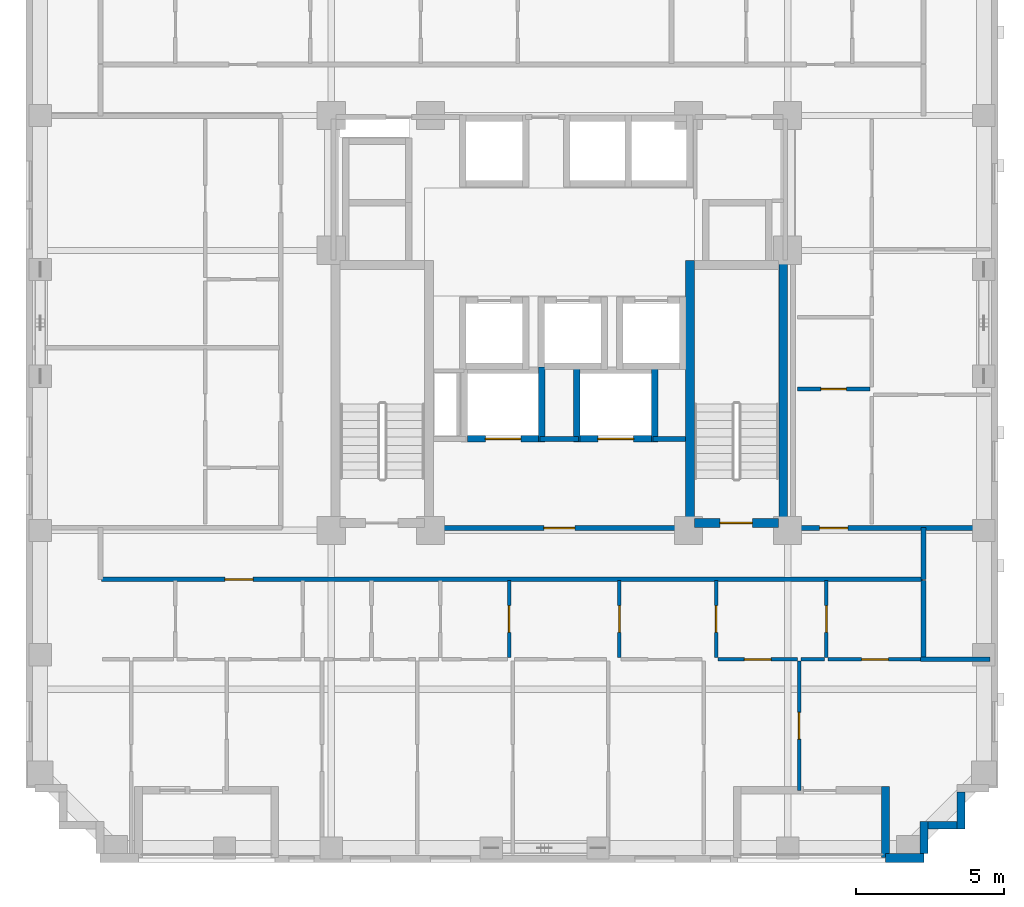
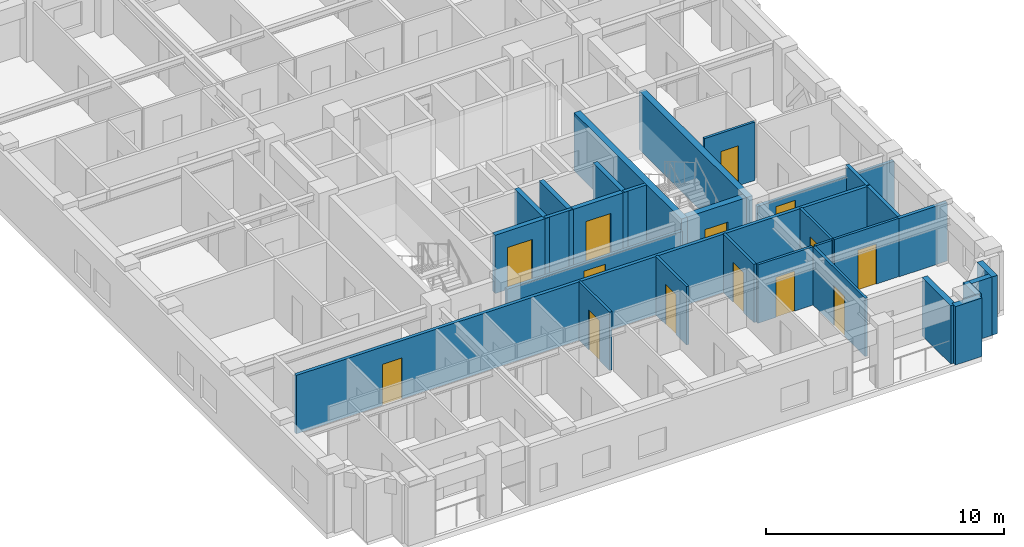
# One storey, part 4 of 12: 30 walls, 14 doors, 14 openings.
"""IFC4 building model written with IfcOpenShell, lengths in metres."""

from ifc_helpers import new_model, si_unit, derived_unit, direction, frame, frame_2d, origin, place, context, subcontext, project, spatial, rectangle, extrude, material, layer, layer_set, type_object, element, fill, save


model = new_model("IFC4")

# Units and contexts
model_context = context("Model", 3, precision=1e-05, world=origin(), true_north=direction((0.0, 1.0)))
body_context = subcontext(model_context, "Body", "Model", "MODEL_VIEW")
ifc_project = project(units=[si_unit("LENGTHUNIT", "METRE"), si_unit("AREAUNIT", "SQUARE_METRE"), si_unit("VOLUMEUNIT", "CUBIC_METRE"), si_unit("PLANEANGLEUNIT", "RADIAN"), si_unit("MASSUNIT", "GRAM", prefix="KILO"), derived_unit("THERMALTRANSMITTANCEUNIT", [(si_unit("MASSUNIT", "GRAM", prefix="KILO"), 1), (si_unit("TIMEUNIT", "SECOND"), -3), (si_unit("THERMODYNAMICTEMPERATUREUNIT", "KELVIN"), -1)])], contexts=[model_context])

# Site, building, storey
site_placement = place(None, origin())
site = spatial("IfcSite", under=ifc_project, at=site_placement, CompositionType="ELEMENT")
building_placement = place(site_placement, origin())
building = spatial("IfcBuilding", under=site, at=building_placement, Name="Korrvale Station Residences", CompositionType="ELEMENT")
storey_placement = place(building_placement, frame((0.0, 0.0, 127.64990234375)))
storey = spatial("IfcBuildingStorey", under=building, at=storey_placement, Name="L36", CompositionType="ELEMENT", Elevation=127.64990234375)

# Walls
ifc_material_1 = material(Name="Concrete C60/75", Category="concrete")
ifc_layer_1 = layer(ifc_material_1, 0.300048828125, Name="Concrete C60/75")
ifc_layer_set_1 = layer_set([ifc_layer_1], Name="Concrete C60/75")
wall_type_1 = type_object("IfcWallType", Name="WAL-CORE-300-C60", PredefinedType="SHEAR", material=ifc_layer_set_1)
for number, where, z_axis, x_axis, name in (
    (1, (29.89990234375, 15.10009765625, 0.0), (0.0, 0.0, 1.0), (0.0, 1.0, 0.0), "L36 ST-2 Core Shear Wall West"),
    (2, (33.050048828125, 15.10009765625, 0.0), (0.0, 0.0, 1.0), (0.0, 1.0, 0.0), "L36 ST-2 Core Shear Wall East"),
):
    element("IfcWall", number, at=place(storey_placement, frame(where, z_axis=z_axis, x_axis=x_axis)), inside=storey, type_object=wall_type_1, Name=name, PredefinedType="SHEAR", context=body_context, shape_type="SweptSolid", body=[
        extrude(rectangle(XDim=9.0, YDim=0.300048828125, at=frame_2d((4.5, 0.0))), origin(), (0.0, 0.0, 1.0), 2.989990234375),
    ])

# Wall, opening, door
wall_1_placement = place(storey_placement, frame((30.050048828125, 15.25, 0.0), z_axis=(0.0, 0.0, 1.0), x_axis=(1.0, 0.0, 0.0)))
wall_1 = element("IfcWall", 3, at=wall_1_placement, inside=storey, type_object=wall_type_1, Name="L36 ST-2 Core Shear Wall South", PredefinedType="SHEAR", context=body_context, shape_type="SweptSolid", body=[
    extrude(rectangle(XDim=2.849853515625, YDim=0.300048828125, at=frame_2d((1.4248046875, 0.0))), origin(), (0.0, 0.0, 1.0), 2.989990234375),
])
opening_1_placement = place(wall_1_placement, frame((0.860107421875, 0.0, 0.0)))
opening_1 = element("IfcOpeningElement", 4, at=opening_1_placement, cuts=wall_1, Name="Opening SD-1100", PredefinedType="OPENING", context=body_context, shape_type="SweptSolid", body=[
    extrude(rectangle(XDim=1.10009765625, YDim=2.050048828125, at=frame_2d((0.550048828125, 1.02490234375))), frame((0.0, 0.16015625, 0.0), z_axis=(0.0, -1.0, 0.0), x_axis=(1.0, 0.0, 0.0)), (0.0, 0.0, 1.0), 0.320068359375),
])
ifc_material_2 = material(Name="Hollow-metal fire-rated stair door with closer", Category="steel")
door_type_1 = type_object("IfcDoorType", Name="DR-STAIR-1100", OperationType="NOTDEFINED", PredefinedType="DOOR", material=ifc_material_2)
door_1_placement = place(opening_1_placement, origin())
door_1 = element("IfcDoor", 5, at=door_1_placement, inside=storey, type_object=door_type_1, Name="L36 ST-2 Exit Stair Door", OperationType="SINGLE_SWING_RIGHT", OverallHeight=2.050048828125, OverallWidth=1.10009765625, PredefinedType="DOOR", context=body_context, shape_type="SweptSolid", body=[
    extrude(rectangle(XDim=1.10009765625, YDim=2.050048828125, at=frame_2d((0.550048828125, 1.02490234375))), frame((0.0, 0.02490234375, 0.0), z_axis=(0.0, -1.0, 0.0), x_axis=(1.0, 0.0, 0.0)), (0.0, 0.0, 1.0), 0.050048828125),
])
fill(opening_1, door_1)

# Walls
ifc_material_3 = material(Name="Precast concrete C45/55", Category="concrete")
ifc_layer_2 = layer(ifc_material_3, 0.260009765625, Name="Precast concrete C45/55")
ifc_layer_set_2 = layer_set([ifc_layer_2], Name="Precast concrete C45/55")
wall_type_2 = type_object("IfcWallType", Name="WAL-EXT-LOG260", PredefinedType="SOLIDWALL", material=ifc_layer_set_2)
wall_2_placement = place(storey_placement, frame((36.5, 3.9599609375, 0.0), z_axis=(0.0, 0.0, 1.0), x_axis=(0.0, 1.0, 0.0)))
element("IfcWall", 6, at=wall_2_placement, inside=storey, type_object=wall_type_2, Name="L36 Recessed Loggia Wall BAL-L36-S2-L", PredefinedType="SOLIDWALL", context=body_context, shape_type="SweptSolid", body=[
    extrude(rectangle(XDim=2.400146484375, YDim=0.260009765625, at=frame_2d((1.2001953125, 0.0))), origin(), (0.0, 0.0, 1.0), 2.989990234375),
])
wall_3_placement = place(storey_placement, frame((39.050048828125, 6.16796875, 0.0), z_axis=(0.0, 0.0, 1.0), x_axis=(0.0, -1.0, 0.0)))
element("IfcWall", 7, at=wall_3_placement, inside=storey, type_object=wall_type_2, Name="L36 Serrated Corner Precast Step SE-2", PredefinedType="SOLIDWALL", context=body_context, shape_type="SweptSolid", body=[
    extrude(rectangle(XDim=1.248046875, YDim=0.260009765625, at=frame_2d((0.6240234375, 0.0))), origin(), (0.0, 0.0, 1.0), 2.989990234375),
])
wall_4_placement = place(storey_placement, frame((38.91796875, 5.050048828125, 0.0), z_axis=(0.0, 0.0, 1.0), x_axis=(-1.0, 0.0, 0.0)))
element("IfcWall", 8, at=wall_4_placement, inside=storey, type_object=wall_type_2, Name="L36 Serrated Corner Precast Step SE-3", PredefinedType="SOLIDWALL", context=body_context, shape_type="SweptSolid", body=[
    extrude(rectangle(XDim=0.986083984375, YDim=0.260009765625, at=frame_2d((0.4931640625, 0.0))), origin(), (0.0, 0.0, 1.0), 2.989990234375),
])
wall_5_placement = place(storey_placement, frame((37.800048828125, 5.179931640625, 0.0), z_axis=(0.0, 0.0, 1.0), x_axis=(0.0, -1.0, 0.0)))
element("IfcWall", 9, at=wall_5_placement, inside=storey, type_object=wall_type_2, Name="L36 Serrated Corner Precast Step SE-4", PredefinedType="SOLIDWALL", context=body_context, shape_type="SweptSolid", body=[
    extrude(rectangle(XDim=1.077880859375, YDim=0.260009765625, at=frame_2d((0.5390625, 0.0))), origin(), (0.0, 0.0, 1.0), 2.989990234375),
])
ifc_layer_3 = layer(ifc_material_3, 0.300048828125, Name="Precast concrete C45/55")
ifc_layer_set_3 = layer_set([ifc_layer_3], Name="Precast concrete C45/55")
wall_type_3 = type_object("IfcWallType", Name="WAL-EXT-PC300", PredefinedType="SOLIDWALL", material=ifc_layer_set_3)
wall_6_placement = place(storey_placement, frame((37.800048828125, 3.949951171875, 0.0), z_axis=(0.0, 0.0, 1.0), x_axis=(-1.0, 0.0, 0.0)))
element("IfcWall", 10, at=wall_6_placement, inside=storey, type_object=wall_type_3, Name="L36 South Exterior Precast Wall 1", PredefinedType="SOLIDWALL", context=body_context, shape_type="SweptSolid", body=[
    extrude(rectangle(XDim=1.300048828125, YDim=0.300048828125, at=frame_2d((0.64990234375, 0.0))), origin(), (0.0, 0.0, 1.0), 2.989990234375),
])

# Wall, opening, door
ifc_material_4 = material(Name="Acoustic steel-stud gypsum board partition", Category="steel")
ifc_layer_4 = layer(ifc_material_4, 0.1201171875, Name="Acoustic steel-stud gypsum board partition")
ifc_layer_set_4 = layer_set([ifc_layer_4], Name="Acoustic steel-stud gypsum board partition")
wall_type_4 = type_object("IfcWallType", Name="WAL-PART-125", PredefinedType="PARTITIONING", material=ifc_layer_set_4)
wall_7_placement = place(storey_placement, frame((23.800048828125, 10.7099609375, 0.0), z_axis=(0.0, 0.0, 1.0), x_axis=(0.0, 1.0, 0.0)))
wall_7 = element("IfcWall", 11, at=wall_7_placement, inside=storey, type_object=wall_type_4, Name="L36 Suite Partition U01-V45", PredefinedType="PARTITIONING", context=body_context, shape_type="SweptSolid", body=[
    extrude(rectangle(XDim=2.60009765625, YDim=0.1201171875, at=frame_2d((1.300048828125, 0.0))), origin(), (0.0, 0.0, 1.0), 2.989990234375),
])
opening_2_placement = place(wall_7_placement, frame((0.85009765625, 0.0, 0.0)))
opening_2 = element("IfcOpeningElement", 12, at=opening_2_placement, cuts=wall_7, Name="Opening DI-900", PredefinedType="OPENING", context=body_context, shape_type="SweptSolid", body=[
    extrude(rectangle(XDim=0.89990234375, YDim=2.050048828125, at=frame_2d((0.449951171875, 1.02490234375))), frame((0.0, 0.070068359375, 0.0), z_axis=(0.0, -1.0, 0.0), x_axis=(1.0, 0.0, 0.0)), (0.0, 0.0, 1.0), 0.14013671875),
])
ifc_material_5 = material(Name="Painted solid-core timber interior room door", Category="wood")
door_type_2 = type_object("IfcDoorType", Name="DR-INT-900", OperationType="NOTDEFINED", PredefinedType="DOOR", material=ifc_material_5)
door_2_placement = place(opening_2_placement, origin())
door_2 = element("IfcDoor", 13, at=door_2_placement, inside=storey, type_object=door_type_2, Name="L36 Studio Apartment L36-U01 Wardrobe Storage Room Door", OperationType="SINGLE_SWING_RIGHT", OverallHeight=2.050048828125, OverallWidth=0.89990234375, PredefinedType="DOOR", context=body_context, shape_type="SweptSolid", body=[
    extrude(rectangle(XDim=0.89990234375, YDim=2.050048828125, at=frame_2d((0.449951171875, 1.02490234375))), frame((0.0, 0.02490234375, 0.0), z_axis=(0.0, -1.0, 0.0), x_axis=(1.0, 0.0, 0.0)), (0.0, 0.0, 1.0), 0.050048828125),
])
fill(opening_2, door_2)

wall_8_placement = place(storey_placement, frame((27.52001953125, 10.7099609375, 0.0), z_axis=(0.0, 0.0, 1.0), x_axis=(0.0, 1.0, 0.0)))
wall_8 = element("IfcWall", 14, at=wall_8_placement, inside=storey, type_object=wall_type_4, Name="L36 Suite Partition U01-V56", PredefinedType="PARTITIONING", context=body_context, shape_type="SweptSolid", body=[
    extrude(rectangle(XDim=2.60009765625, YDim=0.1201171875, at=frame_2d((1.300048828125, 0.0))), origin(), (0.0, 0.0, 1.0), 2.989990234375),
])
opening_3_placement = place(wall_8_placement, frame((0.85009765625, 0.0, 0.0)))
opening_3 = element("IfcOpeningElement", 15, at=opening_3_placement, cuts=wall_8, Name="Opening DI-900", PredefinedType="OPENING", context=body_context, shape_type="SweptSolid", body=[
    extrude(rectangle(XDim=0.89990234375, YDim=2.050048828125, at=frame_2d((0.449951171875, 1.02490234375))), frame((0.0, 0.070068359375, 0.0), z_axis=(0.0, -1.0, 0.0), x_axis=(1.0, 0.0, 0.0)), (0.0, 0.0, 1.0), 0.14013671875),
])
door_3_placement = place(opening_3_placement, origin())
door_3 = element("IfcDoor", 16, at=door_3_placement, inside=storey, type_object=door_type_2, Name="L36 Studio Apartment L36-U01 Utility and Laundry Room Door", OperationType="SINGLE_SWING_RIGHT", OverallHeight=2.050048828125, OverallWidth=0.89990234375, PredefinedType="DOOR", context=body_context, shape_type="SweptSolid", body=[
    extrude(rectangle(XDim=0.89990234375, YDim=2.050048828125, at=frame_2d((0.449951171875, 1.02490234375))), frame((0.0, 0.02490234375, 0.0), z_axis=(0.0, -1.0, 0.0), x_axis=(1.0, 0.0, 0.0)), (0.0, 0.0, 1.0), 0.050048828125),
])
fill(opening_3, door_3)

wall_9_placement = place(storey_placement, frame((30.7900390625, 10.7099609375, 0.0), z_axis=(0.0, 0.0, 1.0), x_axis=(0.0, 1.0, 0.0)))
wall_9 = element("IfcWall", 17, at=wall_9_placement, inside=storey, type_object=wall_type_4, Name="L36 Suite Partition U01-V67", PredefinedType="PARTITIONING", context=body_context, shape_type="SweptSolid", body=[
    extrude(rectangle(XDim=2.60009765625, YDim=0.1201171875, at=frame_2d((1.300048828125, 0.0))), origin(), (0.0, 0.0, 1.0), 2.989990234375),
])
opening_4_placement = place(wall_9_placement, frame((0.85009765625, 0.0, 0.0)))
opening_4 = element("IfcOpeningElement", 18, at=opening_4_placement, cuts=wall_9, Name="Opening DI-900", PredefinedType="OPENING", context=body_context, shape_type="SweptSolid", body=[
    extrude(rectangle(XDim=0.89990234375, YDim=2.050048828125, at=frame_2d((0.449951171875, 1.02490234375))), frame((0.0, 0.070068359375, 0.0), z_axis=(0.0, -1.0, 0.0), x_axis=(1.0, 0.0, 0.0)), (0.0, 0.0, 1.0), 0.14013671875),
])
door_4_placement = place(opening_4_placement, origin())
door_4 = element("IfcDoor", 19, at=door_4_placement, inside=storey, type_object=door_type_2, Name="L36 Studio Apartment L36-U01 Storage Closet 2 Door", OperationType="SINGLE_SWING_RIGHT", OverallHeight=2.050048828125, OverallWidth=0.89990234375, PredefinedType="DOOR", context=body_context, shape_type="SweptSolid", body=[
    extrude(rectangle(XDim=0.89990234375, YDim=2.050048828125, at=frame_2d((0.449951171875, 1.02490234375))), frame((0.0, 0.02490234375, 0.0), z_axis=(0.0, -1.0, 0.0), x_axis=(1.0, 0.0, 0.0)), (0.0, 0.0, 1.0), 0.050048828125),
])
fill(opening_4, door_4)

wall_10_placement = place(storey_placement, frame((34.510009765625, 10.7099609375, 0.0), z_axis=(0.0, 0.0, 1.0), x_axis=(0.0, 1.0, 0.0)))
wall_10 = element("IfcWall", 20, at=wall_10_placement, inside=storey, type_object=wall_type_4, Name="L36 Suite Partition U01-V78", PredefinedType="PARTITIONING", context=body_context, shape_type="SweptSolid", body=[
    extrude(rectangle(XDim=2.60009765625, YDim=0.1201171875, at=frame_2d((1.300048828125, 0.0))), origin(), (0.0, 0.0, 1.0), 2.989990234375),
])
opening_5_placement = place(wall_10_placement, frame((0.85009765625, 0.0, 0.0)))
opening_5 = element("IfcOpeningElement", 21, at=opening_5_placement, cuts=wall_10, Name="Opening DI-900", PredefinedType="OPENING", context=body_context, shape_type="SweptSolid", body=[
    extrude(rectangle(XDim=0.89990234375, YDim=2.050048828125, at=frame_2d((0.449951171875, 1.02490234375))), frame((0.0, 0.070068359375, 0.0), z_axis=(0.0, -1.0, 0.0), x_axis=(1.0, 0.0, 0.0)), (0.0, 0.0, 1.0), 0.14013671875),
])
door_5_placement = place(opening_5_placement, origin())
door_5 = element("IfcDoor", 22, at=door_5_placement, inside=storey, type_object=door_type_2, Name="L36 Studio Apartment L36-U01 Storage Closet 3 Door", OperationType="SINGLE_SWING_RIGHT", OverallHeight=2.050048828125, OverallWidth=0.89990234375, PredefinedType="DOOR", context=body_context, shape_type="SweptSolid", body=[
    extrude(rectangle(XDim=0.89990234375, YDim=2.050048828125, at=frame_2d((0.449951171875, 1.02490234375))), frame((0.0, 0.02490234375, 0.0), z_axis=(0.0, -1.0, 0.0), x_axis=(1.0, 0.0, 0.0)), (0.0, 0.0, 1.0), 0.050048828125),
])
fill(opening_5, door_5)

wall_11_placement = place(storey_placement, frame((30.85009765625, 10.64990234375, 0.0), z_axis=(0.0, 0.0, 1.0), x_axis=(1.0, 0.0, 0.0)))
wall_11 = element("IfcWall", 23, at=wall_11_placement, inside=storey, type_object=wall_type_4, Name="L36 Suite Partition U01-H716", PredefinedType="PARTITIONING", context=body_context, shape_type="SweptSolid", body=[
    extrude(rectangle(XDim=2.679931640625, YDim=0.1201171875, at=frame_2d((1.33984375, 0.0))), origin(), (0.0, 0.0, 1.0), 2.989990234375),
])
opening_6_placement = place(wall_11_placement, frame((0.889892578125, 0.0, 0.0)))
opening_6 = element("IfcOpeningElement", 24, at=opening_6_placement, cuts=wall_11, Name="Opening DI-900", PredefinedType="OPENING", context=body_context, shape_type="SweptSolid", body=[
    extrude(rectangle(XDim=0.89990234375, YDim=2.050048828125, at=frame_2d((0.449951171875, 1.02490234375))), frame((0.0, 0.070068359375, 0.0), z_axis=(0.0, -1.0, 0.0), x_axis=(1.0, 0.0, 0.0)), (0.0, 0.0, 1.0), 0.14013671875),
])
door_6_placement = place(opening_6_placement, origin())
door_6 = element("IfcDoor", 25, at=door_6_placement, inside=storey, type_object=door_type_2, Name="L36 Studio Apartment L36-U01 Storage Closet 3 Door", OperationType="SINGLE_SWING_LEFT", OverallHeight=2.050048828125, OverallWidth=0.89990234375, PredefinedType="DOOR", context=body_context, shape_type="SweptSolid", body=[
    extrude(rectangle(XDim=0.89990234375, YDim=2.050048828125, at=frame_2d((0.449951171875, 1.02490234375))), frame((0.0, 0.02490234375, 0.0), z_axis=(0.0, -1.0, 0.0), x_axis=(1.0, 0.0, 0.0)), (0.0, 0.0, 1.0), 0.050048828125),
])
fill(opening_6, door_6)

# Wall
wall_12_placement = place(storey_placement, frame((33.64990234375, 10.64990234375, 0.0), z_axis=(0.0, 0.0, 1.0), x_axis=(1.0, 0.0, 0.0)))
element("IfcWall", 26, at=wall_12_placement, inside=storey, type_object=wall_type_4, Name="L36 Suite Partition U01-H717", PredefinedType="PARTITIONING", context=body_context, shape_type="SweptSolid", body=[
    extrude(rectangle(XDim=0.800048828125, YDim=0.1201171875, at=frame_2d((0.39990234375, 0.0))), origin(), (0.0, 0.0, 1.0), 2.989990234375),
])

# Wall, opening, door
wall_13_placement = place(storey_placement, frame((34.570068359375, 10.64990234375, 0.0), z_axis=(0.0, 0.0, 1.0), x_axis=(1.0, 0.0, 0.0)))
wall_13 = element("IfcWall", 27, at=wall_13_placement, inside=storey, type_object=wall_type_4, Name="L36 Suite Partition U01-H817", PredefinedType="PARTITIONING", context=body_context, shape_type="SweptSolid", body=[
    extrude(rectangle(XDim=3.14990234375, YDim=0.1201171875, at=frame_2d((1.574951171875, 0.0))), origin(), (0.0, 0.0, 1.0), 2.989990234375),
])
opening_7_placement = place(wall_13_placement, frame((1.125, 0.0, 0.0)))
opening_7 = element("IfcOpeningElement", 28, at=opening_7_placement, cuts=wall_13, Name="Opening DI-900", PredefinedType="OPENING", context=body_context, shape_type="SweptSolid", body=[
    extrude(rectangle(XDim=0.89990234375, YDim=2.050048828125, at=frame_2d((0.449951171875, 1.02490234375))), frame((0.0, 0.070068359375, 0.0), z_axis=(0.0, -1.0, 0.0), x_axis=(1.0, 0.0, 0.0)), (0.0, 0.0, 1.0), 0.14013671875),
])
door_7_placement = place(opening_7_placement, origin())
door_7 = element("IfcDoor", 29, at=door_7_placement, inside=storey, type_object=door_type_2, Name="L36 Studio Apartment L36-U01 Storage Closet 4 Door", OperationType="SINGLE_SWING_RIGHT", OverallHeight=2.050048828125, OverallWidth=0.89990234375, PredefinedType="DOOR", context=body_context, shape_type="SweptSolid", body=[
    extrude(rectangle(XDim=0.89990234375, YDim=2.050048828125, at=frame_2d((0.449951171875, 1.02490234375))), frame((0.0, 0.02490234375, 0.0), z_axis=(0.0, -1.0, 0.0), x_axis=(1.0, 0.0, 0.0)), (0.0, 0.0, 1.0), 0.050048828125),
])
fill(opening_7, door_7)

wall_14_placement = place(storey_placement, frame((33.590087890625, 6.22998046875, 0.0), z_axis=(0.0, 0.0, 1.0), x_axis=(0.0, 1.0, 0.0)))
wall_14 = element("IfcWall", 30, at=wall_14_placement, inside=storey, type_object=wall_type_4, Name="L36 Suite Partition U01-V1617", PredefinedType="PARTITIONING", context=body_context, shape_type="SweptSolid", body=[
    extrude(rectangle(XDim=4.360107421875, YDim=0.1201171875, at=frame_2d((2.18017578125, 0.0))), origin(), (0.0, 0.0, 1.0), 2.989990234375),
])
opening_8_placement = place(wall_14_placement, frame((1.72998046875, 0.0, 0.0)))
opening_8 = element("IfcOpeningElement", 31, at=opening_8_placement, cuts=wall_14, Name="Opening DI-900", PredefinedType="OPENING", context=body_context, shape_type="SweptSolid", body=[
    extrude(rectangle(XDim=0.89990234375, YDim=2.050048828125, at=frame_2d((0.449951171875, 1.02490234375))), frame((0.0, 0.070068359375, 0.0), z_axis=(0.0, -1.0, 0.0), x_axis=(1.0, 0.0, 0.0)), (0.0, 0.0, 1.0), 0.14013671875),
])
door_8_placement = place(opening_8_placement, origin())
door_8 = element("IfcDoor", 32, at=door_8_placement, inside=storey, type_object=door_type_2, Name="L36 Studio Apartment L36-U01 Formal Dining Room Door", OperationType="SINGLE_SWING_RIGHT", OverallHeight=2.050048828125, OverallWidth=0.89990234375, PredefinedType="DOOR", context=body_context, shape_type="SweptSolid", body=[
    extrude(rectangle(XDim=0.89990234375, YDim=2.050048828125, at=frame_2d((0.449951171875, 1.02490234375))), frame((0.0, 0.02490234375, 0.0), z_axis=(0.0, -1.0, 0.0), x_axis=(1.0, 0.0, 0.0)), (0.0, 0.0, 1.0), 0.050048828125),
])
fill(opening_8, door_8)

wall_15_placement = place(storey_placement, frame((33.530029296875, 19.77001953125, 0.0), z_axis=(0.0, 0.0, 1.0), x_axis=(1.0, 0.0, 0.0)))
wall_15 = element("IfcWall", 33, at=wall_15_placement, inside=storey, type_object=wall_type_4, Name="L36 Suite Partition U06-H12", PredefinedType="PARTITIONING", context=body_context, shape_type="SweptSolid", body=[
    extrude(rectangle(XDim=2.449951171875, YDim=0.1201171875, at=frame_2d((1.22509765625, 0.0))), origin(), (0.0, 0.0, 1.0), 2.989990234375),
])
opening_9_placement = place(wall_15_placement, frame((0.794921875, 0.0, 0.0)))
opening_9 = element("IfcOpeningElement", 34, at=opening_9_placement, cuts=wall_15, Name="Opening DB-860", PredefinedType="OPENING", context=body_context, shape_type="SweptSolid", body=[
    extrude(rectangle(XDim=0.860107421875, YDim=2.050048828125, at=frame_2d((0.43017578125, 1.02490234375))), frame((0.0, 0.070068359375, 0.0), z_axis=(0.0, -1.0, 0.0), x_axis=(1.0, 0.0, 0.0)), (0.0, 0.0, 1.0), 0.14013671875),
])
ifc_material_6 = material(Name="Moisture-resistant solid-core bathroom door", Category="timber")
door_type_3 = type_object("IfcDoorType", Name="DR-BATH-860", OperationType="NOTDEFINED", PredefinedType="DOOR", material=ifc_material_6)
door_9_placement = place(opening_9_placement, origin())
door_9 = element("IfcDoor", 35, at=door_9_placement, inside=storey, type_object=door_type_3, Name="L36 Apartment 2BR L36-U06 Bathroom Door", OperationType="SINGLE_SWING_LEFT", OverallHeight=2.050048828125, OverallWidth=0.860107421875, PredefinedType="DOOR", context=body_context, shape_type="SweptSolid", body=[
    extrude(rectangle(XDim=0.860107421875, YDim=2.050048828125, at=frame_2d((0.43017578125, 1.02490234375))), frame((0.0, 0.02490234375, 0.0), z_axis=(0.0, -1.0, 0.0), x_axis=(1.0, 0.0, 0.0)), (0.0, 0.0, 1.0), 0.050048828125),
])
fill(opening_9, door_9)

ifc_material_7 = material(Name="Fire-rated twin-stud gypsum and mineral wool shaftwall assembly", Category="gypsum")
ifc_layer_5 = layer(ifc_material_7, 0.159912109375, Name="Fire-rated twin-stud gypsum and mineral wool shaftwall assembly")
ifc_layer_set_5 = layer_set([ifc_layer_5], Name="Fire-rated twin-stud gypsum and mineral wool shaftwall assembly")
wall_type_5 = type_object("IfcWallType", Name="WAL-PART-200", PredefinedType="PARTITIONING", material=ifc_layer_set_5)
wall_16_placement = place(storey_placement, frame((21.25, 15.080078125, 0.0), z_axis=(0.0, 0.0, 1.0), x_axis=(1.0, 0.0, 0.0)))
wall_16 = element("IfcWall", 36, at=wall_16_placement, inside=storey, type_object=wall_type_5, Name="L36 Core Partition CW-FFL-S", PredefinedType="PARTITIONING", context=body_context, shape_type="SweptSolid", body=[
    extrude(rectangle(XDim=8.5, YDim=0.159912109375, at=frame_2d((4.25, 0.0))), origin(), (0.0, 0.0, 1.0), 2.426025390625),
])
opening_10_placement = place(wall_16_placement, frame((3.72509765625, 0.0, 0.0)))
opening_10 = element("IfcOpeningElement", 37, at=opening_10_placement, cuts=wall_16, Name="Opening FD-1050", PredefinedType="OPENING", context=body_context, shape_type="SweptSolid", body=[
    extrude(rectangle(XDim=1.050048828125, YDim=2.050048828125, at=frame_2d((0.52490234375, 1.02490234375))), frame((0.0, 0.08984375, 0.0), z_axis=(0.0, -1.0, 0.0), x_axis=(1.0, 0.0, 0.0)), (0.0, 0.0, 1.0), 0.179931640625),
])
ifc_material_8 = material(Name="Fire-rated mineral-core timber lobby door", Category="wood")
door_type_4 = type_object("IfcDoorType", Name="DR-CORE-1050", OperationType="NOTDEFINED", PredefinedType="DOOR", material=ifc_material_8)
door_10_placement = place(opening_10_placement, origin())
door_10 = element("IfcDoor", 38, at=door_10_placement, inside=storey, type_object=door_type_4, Name="L36 Firefighting Lobby Entry Door", OperationType="SINGLE_SWING_RIGHT", OverallHeight=2.050048828125, OverallWidth=1.050048828125, PredefinedType="DOOR", context=body_context, shape_type="SweptSolid", body=[
    extrude(rectangle(XDim=1.050048828125, YDim=2.050048828125, at=frame_2d((0.52490234375, 1.02490234375))), frame((0.0, 0.02490234375, 0.0), z_axis=(0.0, -1.0, 0.0), x_axis=(1.0, 0.0, 0.0)), (0.0, 0.0, 1.0), 0.050048828125),
])
fill(opening_10, door_10)

# Walls
wall_17_placement = place(storey_placement, frame((24.85009765625, 18.080078125, 0.0), z_axis=(0.0, 0.0, 1.0), x_axis=(1.0, 0.0, 0.0)))
element("IfcWall", 39, at=wall_17_placement, inside=storey, type_object=wall_type_5, Name="L36 Core Partition CW-FFL-N2", PredefinedType="PARTITIONING", context=body_context, shape_type="SweptSolid", body=[
    extrude(rectangle(XDim=1.2998046875, YDim=0.159912109375, at=frame_2d((0.64990234375, 0.0))), origin(), (0.0, 0.0, 1.0), 2.989990234375),
])
wall_18_placement = place(storey_placement, frame((28.64990234375, 18.080078125, 0.0), z_axis=(0.0, 0.0, 1.0), x_axis=(1.0, 0.0, 0.0)))
element("IfcWall", 40, at=wall_18_placement, inside=storey, type_object=wall_type_5, Name="L36 Core Partition CW-FFL-N3", PredefinedType="PARTITIONING", context=body_context, shape_type="SweptSolid", body=[
    extrude(rectangle(XDim=1.10009765625, YDim=0.159912109375, at=frame_2d((0.550048828125, 0.0))), origin(), (0.0, 0.0, 1.0), 2.989990234375),
])
wall_19_placement = place(storey_placement, frame((37.780029296875, 13.35009765625, 0.0), z_axis=(0.0, 0.0, 1.0), x_axis=(0.0, 1.0, 0.0)))
element("IfcWall", 41, at=wall_19_placement, inside=storey, type_object=wall_type_5, Name="L36 Corridor South East Cap", PredefinedType="PARTITIONING", context=body_context, shape_type="SweptSolid", body=[
    extrude(rectangle(XDim=1.739990234375, YDim=0.159912109375, at=frame_2d((0.8701171875, 0.0))), origin(), (0.0, 0.0, 1.0), 2.989990234375),
])
wall_20_placement = place(storey_placement, frame((37.679931640625, 10.64990234375, 0.0), z_axis=(0.0, 0.0, 1.0), x_axis=(1.0, 0.0, 0.0)))
element("IfcWall", 42, at=wall_20_placement, inside=storey, type_object=wall_type_5, Name="L36 Corner Step Wall U01-R", PredefinedType="PARTITIONING", context=body_context, shape_type="SweptSolid", body=[
    extrude(rectangle(XDim=2.340087890625, YDim=0.159912109375, at=frame_2d((1.169921875, 0.0))), origin(), (0.0, 0.0, 1.0), 2.989990234375),
])
wall_21_placement = place(storey_placement, frame((37.780029296875, 10.64990234375, 0.0), z_axis=(0.0, 0.0, 1.0), x_axis=(0.0, 1.0, 0.0)))
element("IfcWall", 43, at=wall_21_placement, inside=storey, type_object=wall_type_5, Name="L36 Corner Step Cheek U01-R", PredefinedType="PARTITIONING", context=body_context, shape_type="SweptSolid", body=[
    extrude(rectangle(XDim=2.66015625, YDim=0.159912109375, at=frame_2d((1.330078125, 0.0))), origin(), (0.0, 0.0, 1.0), 2.989990234375),
])

# Wall, opening, door
wall_22_placement = place(storey_placement, frame((33.3798828125, 15.080078125, 0.0), z_axis=(0.0, 0.0, 1.0), x_axis=(1.0, 0.0, 0.0)))
wall_22 = element("IfcWall", 44, at=wall_22_placement, inside=storey, type_object=wall_type_5, Name="L36 Side Suite South Entry Wall U06", PredefinedType="PARTITIONING", context=body_context, shape_type="SweptSolid", body=[
    extrude(rectangle(XDim=6.64013671875, YDim=0.159912109375, at=frame_2d((3.320068359375, 0.0))), origin(), (0.0, 0.0, 1.0), 2.426025390625),
])
opening_11_placement = place(wall_22_placement, frame((0.89990234375, 0.0, 0.0)))
opening_11 = element("IfcOpeningElement", 45, at=opening_11_placement, cuts=wall_22, Name="Opening UD-950", PredefinedType="OPENING", context=body_context, shape_type="SweptSolid", body=[
    extrude(rectangle(XDim=0.949951171875, YDim=2.10009765625, at=frame_2d((0.47509765625, 1.050048828125))), frame((0.0, 0.08984375, 0.0), z_axis=(0.0, -1.0, 0.0), x_axis=(1.0, 0.0, 0.0)), (0.0, 0.0, 1.0), 0.179931640625),
])
ifc_material_9 = material(Name="Solid-core acoustic oak apartment entrance door", Category="timber")
door_type_5 = type_object("IfcDoorType", Name="DR-UNIT-950", OperationType="NOTDEFINED", PredefinedType="DOOR", material=ifc_material_9)
door_11_placement = place(opening_11_placement, origin())
door_11 = element("IfcDoor", 46, at=door_11_placement, inside=storey, type_object=door_type_5, Name="L36 Apartment L36-U06 Entrance Door", OperationType="SINGLE_SWING_RIGHT", OverallHeight=2.10009765625, OverallWidth=0.949951171875, PredefinedType="DOOR", context=body_context, shape_type="SweptSolid", body=[
    extrude(rectangle(XDim=0.949951171875, YDim=2.10009765625, at=frame_2d((0.47509765625, 1.050048828125))), frame((0.0, 0.02490234375, 0.0), z_axis=(0.0, -1.0, 0.0), x_axis=(1.0, 0.0, 0.0)), (0.0, 0.0, 1.0), 0.050048828125),
])
fill(opening_11, door_11)

wall_23_placement = place(storey_placement, frame((10.050048828125, 13.35009765625, 0.0), z_axis=(0.0, 0.0, 1.0), x_axis=(1.0, 0.0, 0.0)))
wall_23 = element("IfcWall", 47, at=wall_23_placement, inside=storey, type_object=wall_type_5, Name="L36 Rated Corridor Wall S", PredefinedType="PARTITIONING", context=body_context, shape_type="SweptSolid", body=[
    extrude(rectangle(XDim=27.699951171875, YDim=0.159912109375, at=frame_2d((13.85009765625, 0.0))), origin(), (0.0, 0.0, 1.0), 2.989990234375),
])
opening_12_placement = place(wall_23_placement, frame((4.1650390625, 0.0, 0.0)))
opening_12 = element("IfcOpeningElement", 48, at=opening_12_placement, cuts=wall_23, Name="Opening UD-950", PredefinedType="OPENING", context=body_context, shape_type="SweptSolid", body=[
    extrude(rectangle(XDim=0.949951171875, YDim=2.10009765625, at=frame_2d((0.47509765625, 1.050048828125))), frame((0.0, 0.08984375, 0.0), z_axis=(0.0, -1.0, 0.0), x_axis=(1.0, 0.0, 0.0)), (0.0, 0.0, 1.0), 0.179931640625),
])
door_12_placement = place(opening_12_placement, origin())
door_12 = element("IfcDoor", 49, at=door_12_placement, inside=storey, type_object=door_type_5, Name="L36 Apartment L36-U01 Entrance Door", OperationType="SINGLE_SWING_LEFT", OverallHeight=2.10009765625, OverallWidth=0.949951171875, PredefinedType="DOOR", context=body_context, shape_type="SweptSolid", body=[
    extrude(rectangle(XDim=0.949951171875, YDim=2.10009765625, at=frame_2d((0.47509765625, 1.050048828125))), frame((0.0, 0.02490234375, 0.0), z_axis=(0.0, -1.0, 0.0), x_axis=(1.0, 0.0, 0.0)), (0.0, 0.0, 1.0), 0.050048828125),
])
fill(opening_12, door_12)

ifc_layer_6 = layer(ifc_material_1, 0.219970703125, Name="Concrete C60/75")
ifc_layer_set_6 = layer_set([ifc_layer_6], Name="Concrete C60/75")
wall_type_6 = type_object("IfcWallType", Name="WAL-SHAFT-220-C60", PredefinedType="SHEAR", material=ifc_layer_set_6)
wall_24_placement = place(storey_placement, frame((22.39990234375, 18.090087890625, 0.0), z_axis=(0.0, 0.0, 1.0), x_axis=(1.0, 0.0, 0.0)))
wall_24 = element("IfcWall", 50, at=wall_24_placement, inside=storey, type_object=wall_type_6, Name="L36 Elevator FFL-1 Hoistway Wall South", PredefinedType="SHEAR", context=body_context, shape_type="SweptSolid", body=[
    extrude(rectangle(XDim=2.400146484375, YDim=0.219970703125, at=frame_2d((1.2001953125, 0.0))), origin(), (0.0, 0.0, 1.0), 2.989990234375),
])
opening_13_placement = place(wall_24_placement, frame((0.60009765625, 0.0, 0.0)))
opening_13 = element("IfcOpeningElement", 51, at=opening_13_placement, cuts=wall_24, Name="Opening LD-FF1200", PredefinedType="OPENING", context=body_context, shape_type="SweptSolid", body=[
    extrude(rectangle(XDim=1.199951171875, YDim=2.14990234375, at=frame_2d((0.60009765625, 1.074951171875))), frame((0.0, 0.1201171875, 0.0), z_axis=(0.0, -1.0, 0.0), x_axis=(1.0, 0.0, 0.0)), (0.0, 0.0, 1.0), 0.239990234375),
])
ifc_material_10 = material(Name="Stainless-steel firefighter elevator landing sliding door", Category="steel")
door_type_6 = type_object("IfcDoorType", Name="DR-LIFT-FF1200", OperationType="SLIDING_TO_LEFT", PredefinedType="DOOR", material=ifc_material_10)
door_13_placement = place(opening_13_placement, origin())
door_13 = element("IfcDoor", 52, at=door_13_placement, inside=storey, type_object=door_type_6, Name="L36 Elevator FFL-1 Sliding Landing Door", OperationType="SLIDING_TO_LEFT", OverallHeight=2.14990234375, OverallWidth=1.199951171875, PredefinedType="DOOR", context=body_context, shape_type="SweptSolid", body=[
    extrude(rectangle(XDim=1.199951171875, YDim=2.14990234375, at=frame_2d((0.60009765625, 1.074951171875))), frame((0.0, 0.02490234375, 0.0), z_axis=(0.0, -1.0, 0.0), x_axis=(1.0, 0.0, 0.0)), (0.0, 0.0, 1.0), 0.050048828125),
])
fill(opening_13, door_13)

# Wall
wall_25_placement = place(storey_placement, frame((24.909912109375, 17.97998046875, 0.0), z_axis=(0.0, 0.0, 1.0), x_axis=(0.0, 1.0, 0.0)))
element("IfcWall", 53, at=wall_25_placement, inside=storey, type_object=wall_type_6, Name="L36 Elevator FFL-1 Hoistway Wall East", PredefinedType="SHEAR", context=body_context, shape_type="SweptSolid", body=[
    extrude(rectangle(XDim=2.5400390625, YDim=0.219970703125, at=frame_2d((1.27001953125, 0.0))), origin(), (0.0, 0.0, 1.0), 2.989990234375),
])

# Wall, opening, door
wall_26_placement = place(storey_placement, frame((26.199951171875, 18.090087890625, 0.0), z_axis=(0.0, 0.0, 1.0), x_axis=(1.0, 0.0, 0.0)))
wall_26 = element("IfcWall", 54, at=wall_26_placement, inside=storey, type_object=wall_type_6, Name="L36 Elevator FFL-2 Hoistway Wall South", PredefinedType="SHEAR", context=body_context, shape_type="SweptSolid", body=[
    extrude(rectangle(XDim=2.400146484375, YDim=0.219970703125, at=frame_2d((1.2001953125, 0.0))), origin(), (0.0, 0.0, 1.0), 2.989990234375),
])
opening_14_placement = place(wall_26_placement, frame((0.60009765625, 0.0, 0.0)))
opening_14 = element("IfcOpeningElement", 55, at=opening_14_placement, cuts=wall_26, Name="Opening LD-FF1200", PredefinedType="OPENING", context=body_context, shape_type="SweptSolid", body=[
    extrude(rectangle(XDim=1.199951171875, YDim=2.14990234375, at=frame_2d((0.60009765625, 1.074951171875))), frame((0.0, 0.1201171875, 0.0), z_axis=(0.0, -1.0, 0.0), x_axis=(1.0, 0.0, 0.0)), (0.0, 0.0, 1.0), 0.239990234375),
])
door_14_placement = place(opening_14_placement, origin())
door_14 = element("IfcDoor", 56, at=door_14_placement, inside=storey, type_object=door_type_6, Name="L36 Elevator FFL-2 Sliding Landing Door", OperationType="SLIDING_TO_LEFT", OverallHeight=2.14990234375, OverallWidth=1.199951171875, PredefinedType="DOOR", context=body_context, shape_type="SweptSolid", body=[
    extrude(rectangle(XDim=1.199951171875, YDim=2.14990234375, at=frame_2d((0.60009765625, 1.074951171875))), frame((0.0, 0.02490234375, 0.0), z_axis=(0.0, -1.0, 0.0), x_axis=(1.0, 0.0, 0.0)), (0.0, 0.0, 1.0), 0.050048828125),
])
fill(opening_14, door_14)

# Walls
for number, where, z_axis, x_axis, name in (
    (57, (26.090087890625, 17.97998046875, 0.0), (0.0, 0.0, 1.0), (0.0, 1.0, 0.0), "L36 Elevator FFL-2 Hoistway Wall West"),
    (58, (28.7099609375, 17.97998046875, 0.0), (0.0, 0.0, 1.0), (0.0, 1.0, 0.0), "L36 Elevator FFL-2 Hoistway Wall East"),
):
    element("IfcWall", number, at=place(storey_placement, frame(where, z_axis=z_axis, x_axis=x_axis)), inside=storey, type_object=wall_type_6, Name=name, PredefinedType="SHEAR", context=body_context, shape_type="SweptSolid", body=[
        extrude(rectangle(XDim=2.5400390625, YDim=0.219970703125, at=frame_2d((1.27001953125, 0.0))), origin(), (0.0, 0.0, 1.0), 2.989990234375),
    ])

save(model, "model.ifc")
